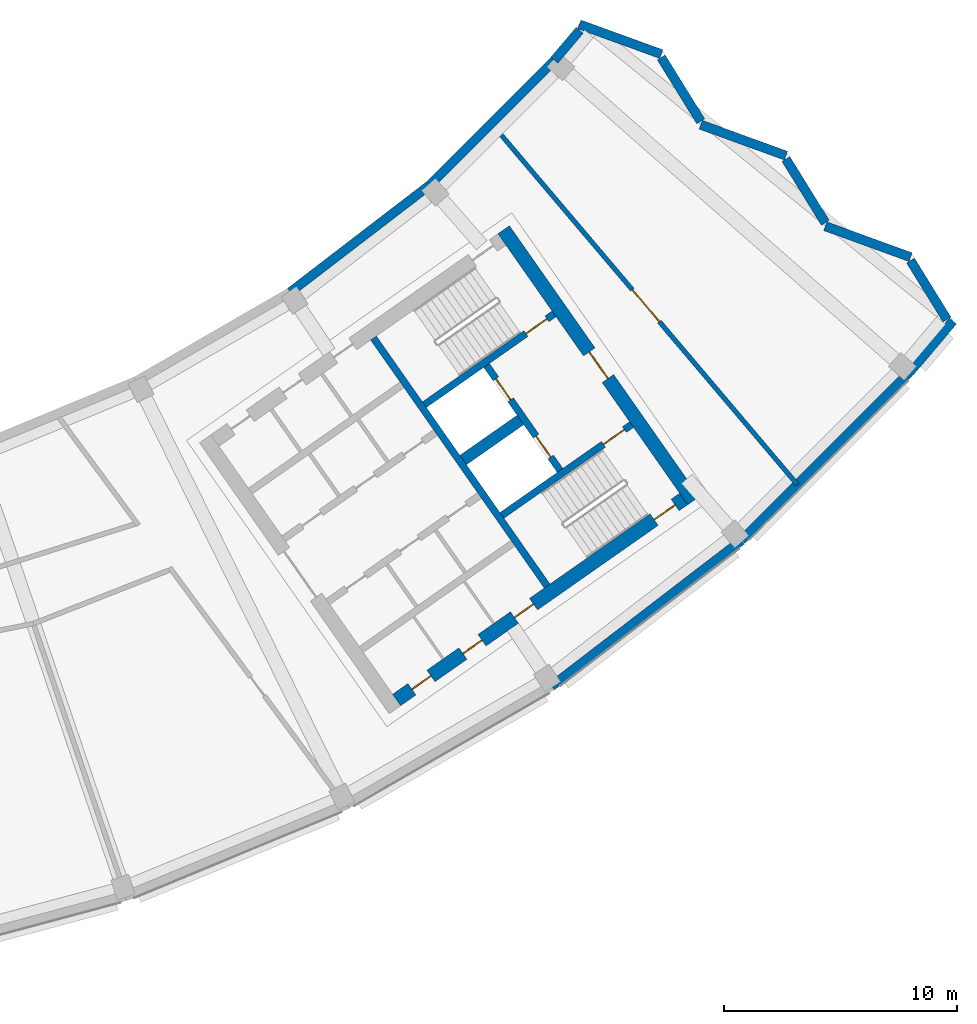
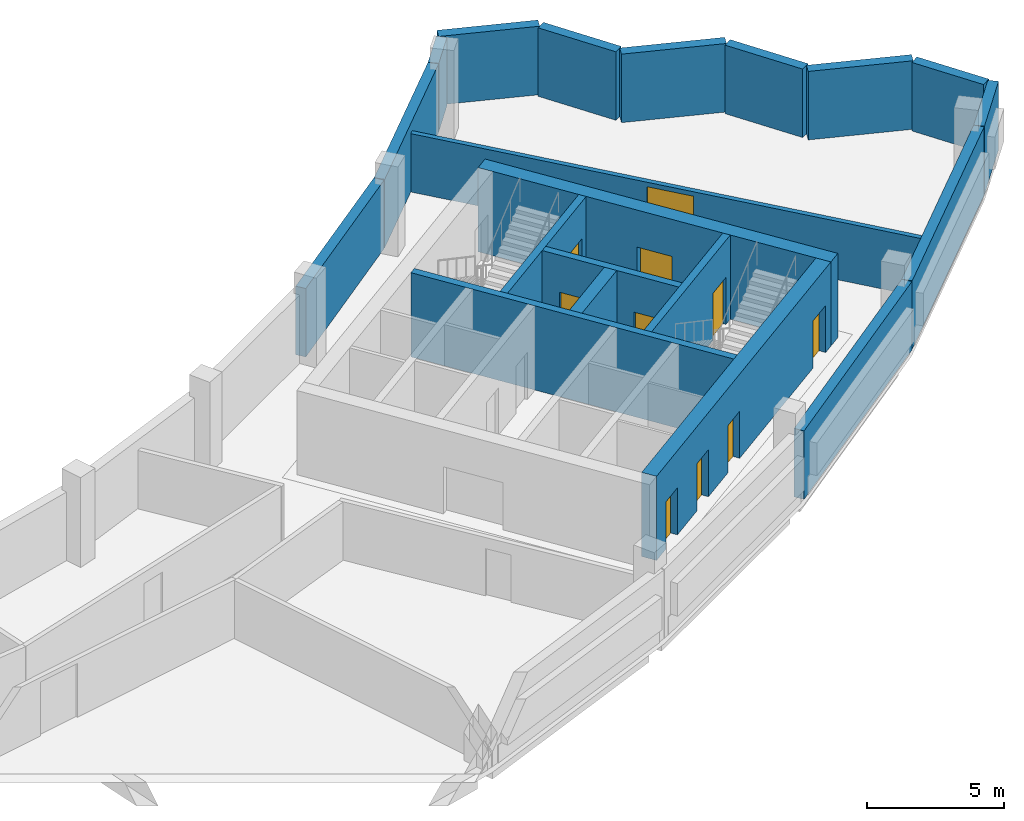
# One storey, part 6 of 11: 20 walls, 10 doors, 10 openings.
"""IFC4 building model written with IfcOpenShell, lengths in metres."""

from ifc_helpers import new_model, si_unit, direction, frame, frame_2d, origin, place, context, subcontext, project, spatial, rectangle, extrude, material, layer, layer_set, type_object, element, fill, save


model = new_model("IFC4")

# Units and contexts
model_context = context("Model", 3, precision=1e-05, world=origin(), true_north=direction((0.0, 1.0)))
body_context = subcontext(model_context, "Body", "Model", "MODEL_VIEW")
ifc_project = project(units=[si_unit("LENGTHUNIT", "METRE"), si_unit("AREAUNIT", "SQUARE_METRE"), si_unit("VOLUMEUNIT", "CUBIC_METRE"), si_unit("PLANEANGLEUNIT", "RADIAN"), si_unit("MASSUNIT", "GRAM", prefix="KILO")], contexts=[model_context])

# Site, building, storey
site_placement = place(None, origin())
site = spatial("IfcSite", under=ifc_project, at=site_placement, CompositionType="ELEMENT")
building_placement = place(site_placement, origin())
building = spatial("IfcBuilding", under=site, at=building_placement, Name="Qamariyya Broadcast Tower", CompositionType="ELEMENT")
storey_placement = place(building_placement, frame((0.0, 0.0, 306.699951171875)))
storey = spatial("IfcBuildingStorey", under=building, at=storey_placement, Name="L74", CompositionType="ELEMENT", Elevation=306.699951171875)

# Wall, opening, door
ifc_material_1 = material(Name="Concrete C60/75", Category="concrete")
ifc_layer_1 = layer(ifc_material_1, 0.60009765625)
ifc_layer_set_1 = layer_set([ifc_layer_1], Name="Core wall 600 mm Concrete C60/75")
wall_type_1 = type_object("IfcWallType", Name="Core wall 600 mm Concrete C60/75", PredefinedType="SHEAR", material=ifc_layer_set_1)
wall_1_placement = place(storey_placement, frame((49.4833984375, -57.031494140625, 0.0), z_axis=(0.0, 0.0, 1.0), x_axis=(-0.573560421458, 0.819163257805, 0.0)))
wall_1 = element("IfcWall", 1, at=wall_1_placement, inside=storey, type_object=wall_type_1, Name="k-E-L74-WH", PredefinedType="SHEAR", context=body_context, shape_type="SweptSolid", body=[
    extrude(rectangle(XDim=14.199951171875, YDim=0.60009765625, at=frame_2d((7.10009765625, 0.0))), origin(), (0.0, 0.0, 1.0), 3.75),
])
opening_1_placement = place(wall_1_placement, frame((6.39990234375, 0.0, 0.0)))
opening_1 = element("IfcOpeningElement", 2, at=opening_1_placement, cuts=wall_1, Name="Opening KD2-E1", PredefinedType="OPENING", context=body_context, shape_type="SweptSolid", body=[
    extrude(rectangle(XDim=1.39990234375, YDim=2.10009765625, at=frame_2d((0.699951171875, 1.050048828125))), frame((0.0, 0.31005859375, 0.0), z_axis=(0.0, -1.0, 0.0), x_axis=(1.0, 0.0, 0.0)), (0.0, 0.0, 1.0), 0.6201171875),
])
ifc_material_2 = material(Name="Steel fire-resisting door leaf", Category="steel")
door_type_1 = type_object("IfcDoorType", Name="Fire-fighting lobby door KD2", OperationType="DOUBLE_DOOR_SINGLE_SWING", PredefinedType="DOOR", material=ifc_material_2)
door_1_placement = place(opening_1_placement, origin())
door_1 = element("IfcDoor", 3, at=door_1_placement, inside=storey, type_object=door_type_1, Name="k-E-L74-WH-D16", OperationType="DOUBLE_DOOR_SINGLE_SWING", OverallHeight=2.10009765625, OverallWidth=1.39990234375, PredefinedType="DOOR", context=body_context, shape_type="SweptSolid", body=[
    extrude(rectangle(XDim=1.39990234375, YDim=2.10009765625, at=frame_2d((0.699951171875, 1.050048828125))), frame((0.0, 0.02490234375, 0.0), z_axis=(0.0, -1.0, 0.0), x_axis=(1.0, 0.0, 0.0)), (0.0, 0.0, 1.0), 0.050048828125),
])
fill(opening_1, door_1)

# Wall, openings, doors
wall_2_placement = place(storey_placement, frame((36.7412109375, -65.58740234375, 0.0), z_axis=(0.0, 0.0, 1.0), x_axis=(0.819153391756, 0.573574511963, 0.0)))
wall_2 = element("IfcWall", 4, at=wall_2_placement, inside=storey, type_object=wall_type_1, Name="k-E-L74-WO", PredefinedType="SHEAR", context=body_context, shape_type="SweptSolid", body=[
    extrude(rectangle(XDim=15.04541015625, YDim=0.60009765625, at=frame_2d((7.522705078125, 0.0))), origin(), (0.0, 0.0, 1.0), 3.75),
])
opening_2_placement = place(wall_2_placement, frame((0.800048828125, 0.0, 0.0)))
opening_2 = element("IfcOpeningElement", 5, at=opening_2_placement, cuts=wall_2, Name="Opening KD4-E10", PredefinedType="OPENING", context=body_context, shape_type="SweptSolid", body=[
    extrude(rectangle(XDim=1.0, YDim=2.10009765625, at=frame_2d((0.5, 1.050048828125))), frame((0.0, 0.31005859375, 0.0), z_axis=(0.0, -1.0, 0.0), x_axis=(1.0, 0.0, 0.0)), (0.0, 0.0, 1.0), 0.6201171875),
])
opening_3_placement = place(wall_2_placement, frame((3.47509765625, 0.0, 0.0)))
opening_3 = element("IfcOpeningElement", 6, at=opening_3_placement, cuts=wall_2, Name="Opening KD4-E11", PredefinedType="OPENING", context=body_context, shape_type="SweptSolid", body=[
    extrude(rectangle(XDim=1.0, YDim=2.10009765625, at=frame_2d((0.5, 1.050048828125))), frame((0.0, 0.31005859375, 0.0), z_axis=(0.0, -1.0, 0.0), x_axis=(1.0, 0.0, 0.0)), (0.0, 0.0, 1.0), 0.6201171875),
])
opening_4_placement = place(wall_2_placement, frame((6.175048828125, 0.0, 0.0)))
opening_4 = element("IfcOpeningElement", 7, at=opening_4_placement, cuts=wall_2, Name="Opening KD4-E12", PredefinedType="OPENING", context=body_context, shape_type="SweptSolid", body=[
    extrude(rectangle(XDim=1.0, YDim=2.10009765625, at=frame_2d((0.5, 1.050048828125))), frame((0.0, 0.31005859375, 0.0), z_axis=(0.0, -1.0, 0.0), x_axis=(1.0, 0.0, 0.0)), (0.0, 0.0, 1.0), 0.6201171875),
])
opening_5_placement = place(wall_2_placement, frame((13.495361328125, 0.0, 0.0)))
opening_5 = element("IfcOpeningElement", 8, at=opening_5_placement, cuts=wall_2, Name="Opening KD1-E3", PredefinedType="OPENING", context=body_context, shape_type="SweptSolid", body=[
    extrude(rectangle(XDim=1.10009765625, YDim=2.10009765625, at=frame_2d((0.550048828125, 1.050048828125))), frame((0.0, 0.31005859375, 0.0), z_axis=(0.0, -1.0, 0.0), x_axis=(1.0, 0.0, 0.0)), (0.0, 0.0, 1.0), 0.6201171875),
])
door_type_2 = type_object("IfcDoorType", Name="Riser and plant door KD4", OperationType="SINGLE_SWING_LEFT", PredefinedType="DOOR", material=ifc_material_2)
door_2_placement = place(opening_2_placement, origin())
door_2 = element("IfcDoor", 9, at=door_2_placement, inside=storey, type_object=door_type_2, Name="k-E-L74-WO-D11", OperationType="SINGLE_SWING_LEFT", OverallHeight=2.10009765625, OverallWidth=1.0, PredefinedType="DOOR", context=body_context, shape_type="SweptSolid", body=[
    extrude(rectangle(XDim=1.0, YDim=2.10009765625, at=frame_2d((0.5, 1.050048828125))), frame((0.0, 0.02490234375, 0.0), z_axis=(0.0, -1.0, 0.0), x_axis=(1.0, 0.0, 0.0)), (0.0, 0.0, 1.0), 0.050048828125),
])
fill(opening_2, door_2)
door_3_placement = place(opening_3_placement, origin())
door_3 = element("IfcDoor", 10, at=door_3_placement, inside=storey, type_object=door_type_2, Name="k-E-L74-WO-D12", OperationType="SINGLE_SWING_RIGHT", OverallHeight=2.10009765625, OverallWidth=1.0, PredefinedType="DOOR", context=body_context, shape_type="SweptSolid", body=[
    extrude(rectangle(XDim=1.0, YDim=2.10009765625, at=frame_2d((0.5, 1.050048828125))), frame((0.0, 0.02490234375, 0.0), z_axis=(0.0, -1.0, 0.0), x_axis=(1.0, 0.0, 0.0)), (0.0, 0.0, 1.0), 0.050048828125),
])
fill(opening_3, door_3)
door_4_placement = place(opening_4_placement, origin())
door_4 = element("IfcDoor", 11, at=door_4_placement, inside=storey, type_object=door_type_2, Name="k-E-L74-WO-D13", OperationType="SINGLE_SWING_LEFT", OverallHeight=2.10009765625, OverallWidth=1.0, PredefinedType="DOOR", context=body_context, shape_type="SweptSolid", body=[
    extrude(rectangle(XDim=1.0, YDim=2.10009765625, at=frame_2d((0.5, 1.050048828125))), frame((0.0, 0.02490234375, 0.0), z_axis=(0.0, -1.0, 0.0), x_axis=(1.0, 0.0, 0.0)), (0.0, 0.0, 1.0), 0.050048828125),
])
fill(opening_4, door_4)
door_type_3 = type_object("IfcDoorType", Name="Stair door KD1", OperationType="SINGLE_SWING_LEFT", PredefinedType="DOOR", material=ifc_material_2)
door_5_placement = place(opening_5_placement, origin())
door_5 = element("IfcDoor", 12, at=door_5_placement, inside=storey, type_object=door_type_3, Name="k-E-L74-WO-D19", OperationType="SINGLE_SWING_LEFT", OverallHeight=2.10009765625, OverallWidth=1.10009765625, PredefinedType="DOOR", context=body_context, shape_type="SweptSolid", body=[
    extrude(rectangle(XDim=1.10009765625, YDim=2.10009765625, at=frame_2d((0.550048828125, 1.050048828125))), frame((0.0, 0.02490234375, 0.0), z_axis=(0.0, -1.0, 0.0), x_axis=(1.0, 0.0, 0.0)), (0.0, 0.0, 1.0), 0.050048828125),
])
fill(opening_5, door_5)

# Walls
ifc_layer_2 = layer(ifc_material_1, 0.5)
ifc_layer_set_2 = layer_set([ifc_layer_2], Name="Fire-fighting lobby divider wall 500 mm Concrete C60/75")
wall_type_2 = type_object("IfcWallType", Name="Fire-fighting lobby divider wall 500 mm Concrete C60/75", PredefinedType="SOLIDWALL", material=ifc_layer_set_2)
wall_3_placement = place(storey_placement, frame((39.59912109375, -55.28515625, 0.0), z_axis=(0.0, 0.0, 1.0), x_axis=(0.819136323161, 0.573598887793, 0.0)))
element("IfcWall", 13, at=wall_3_placement, inside=storey, type_object=wall_type_2, Name="k-E-L74-FD", PredefinedType="SOLIDWALL", context=body_context, shape_type="SweptSolid", body=[
    extrude(rectangle(XDim=2.999755859375, YDim=0.5, at=frame_2d((1.5, 0.0))), origin(), (0.0, 0.0, 1.0), 3.75),
])
ifc_layer_3 = layer(ifc_material_1, 0.300048828125)
ifc_layer_set_3 = layer_set([ifc_layer_3], Name="Lift shaft wall 300 mm Concrete C60/75")
wall_type_3 = type_object("IfcWallType", Name="Lift shaft wall 300 mm Concrete C60/75", PredefinedType="SOLIDWALL", material=ifc_layer_set_3)
wall_4_placement = place(storey_placement, frame((43.204345703125, -60.69580078125, 0.0), z_axis=(0.0, 0.0, 1.0), x_axis=(-0.573571992966, 0.819155155563, 0.0)))
element("IfcWall", 14, at=wall_4_placement, inside=storey, type_object=wall_type_3, Name="k-E-L74-WL", PredefinedType="SOLIDWALL", context=body_context, shape_type="SweptSolid", body=[
    extrude(rectangle(XDim=13.000244140625, YDim=0.300048828125, at=frame_2d((6.5, 0.0))), origin(), (0.0, 0.0, 1.0), 3.75),
])

# Wall, opening, door
wall_5_placement = place(storey_placement, frame((37.935546875, -52.90966796875, 0.0), z_axis=(0.0, 0.0, 1.0), x_axis=(0.819147518138, 0.57358290031, 0.0)))
wall_5 = element("IfcWall", 15, at=wall_5_placement, inside=storey, type_object=wall_type_3, Name="k-E-L74-NW", PredefinedType="SOLIDWALL", context=body_context, shape_type="SweptSolid", body=[
    extrude(rectangle(XDim=6.79541015625, YDim=0.300048828125, at=frame_2d((3.397705078125, 0.0))), origin(), (0.0, 0.0, 1.0), 3.75),
])
opening_6_placement = place(wall_5_placement, frame((5.3203125, 0.0, 0.0)))
opening_6 = element("IfcOpeningElement", 16, at=opening_6_placement, cuts=wall_5, Name="Opening KD1-E2", PredefinedType="OPENING", context=body_context, shape_type="SweptSolid", body=[
    extrude(rectangle(XDim=1.10009765625, YDim=2.10009765625, at=frame_2d((0.550048828125, 1.050048828125))), frame((0.0, 0.159912109375, 0.0), z_axis=(0.0, -1.0, 0.0), x_axis=(1.0, 0.0, 0.0)), (0.0, 0.0, 1.0), 0.320068359375),
])
door_6_placement = place(opening_6_placement, origin())
door_6 = element("IfcDoor", 17, at=door_6_placement, inside=storey, type_object=door_type_3, Name="k-E-L74-NW-D18", OperationType="SINGLE_SWING_RIGHT", OverallHeight=2.10009765625, OverallWidth=1.10009765625, PredefinedType="DOOR", context=body_context, shape_type="SweptSolid", body=[
    extrude(rectangle(XDim=1.10009765625, YDim=2.10009765625, at=frame_2d((0.550048828125, 1.050048828125))), frame((0.0, 0.02490234375, 0.0), z_axis=(0.0, -1.0, 0.0), x_axis=(1.0, 0.0, 0.0)), (0.0, 0.0, 1.0), 0.050048828125),
])
fill(opening_6, door_6)

wall_6_placement = place(storey_placement, frame((41.262451171875, -57.66064453125, 0.0), z_axis=(0.0, 0.0, 1.0), x_axis=(0.819164398642, 0.573558792102, 0.0)))
wall_6 = element("IfcWall", 18, at=wall_6_placement, inside=storey, type_object=wall_type_3, Name="k-E-L74-SW", PredefinedType="SOLIDWALL", context=body_context, shape_type="SweptSolid", body=[
    extrude(rectangle(XDim=6.795166015625, YDim=0.300048828125, at=frame_2d((3.3974609375, 0.0))), origin(), (0.0, 0.0, 1.0), 3.75),
])
opening_7_placement = place(wall_6_placement, frame((5.3203125, 0.0, 0.0)))
opening_7 = element("IfcOpeningElement", 19, at=opening_7_placement, cuts=wall_6, Name="Opening KD1-E4", PredefinedType="OPENING", context=body_context, shape_type="SweptSolid", body=[
    extrude(rectangle(XDim=1.10009765625, YDim=2.10009765625, at=frame_2d((0.550048828125, 1.050048828125))), frame((0.0, 0.159912109375, 0.0), z_axis=(0.0, -1.0, 0.0), x_axis=(1.0, 0.0, 0.0)), (0.0, 0.0, 1.0), 0.320068359375),
])
door_7_placement = place(opening_7_placement, origin())
door_7 = element("IfcDoor", 20, at=door_7_placement, inside=storey, type_object=door_type_3, Name="k-E-L74-SW-D20", OperationType="SINGLE_SWING_RIGHT", OverallHeight=2.10009765625, OverallWidth=1.10009765625, PredefinedType="DOOR", context=body_context, shape_type="SweptSolid", body=[
    extrude(rectangle(XDim=1.10009765625, YDim=2.10009765625, at=frame_2d((0.550048828125, 1.050048828125))), frame((0.0, 0.02490234375, 0.0), z_axis=(0.0, -1.0, 0.0), x_axis=(1.0, 0.0, 0.0)), (0.0, 0.0, 1.0), 0.050048828125),
])
fill(opening_7, door_7)

# Wall, openings, doors
wall_7_placement = place(storey_placement, frame((43.756591796875, -55.731201171875, 0.0), z_axis=(0.0, 0.0, 1.0), x_axis=(-0.573536818435, 0.819179783625, 0.0)))
wall_7 = element("IfcWall", 21, at=wall_7_placement, inside=storey, type_object=wall_type_3, Name="k-E-L74-FF", PredefinedType="SOLIDWALL", context=body_context, shape_type="SweptSolid", body=[
    extrude(rectangle(XDim=5.500244140625, YDim=0.300048828125, at=frame_2d((2.75, 0.0))), origin(), (0.0, 0.0, 1.0), 3.75),
])
opening_8_placement = place(wall_7_placement, frame((0.699951171875, 0.0, 0.0)))
opening_8 = element("IfcOpeningElement", 22, at=opening_8_placement, cuts=wall_7, Name="Opening LD", PredefinedType="OPENING", context=body_context, shape_type="SweptSolid", body=[
    extrude(rectangle(XDim=1.10009765625, YDim=2.10009765625, at=frame_2d((0.550048828125, 1.050048828125))), frame((0.0, 0.159912109375, 0.0), z_axis=(0.0, -1.0, 0.0), x_axis=(1.0, 0.0, 0.0)), (0.0, 0.0, 1.0), 0.320068359375),
])
opening_9_placement = place(wall_7_placement, frame((3.699951171875, 0.0, 0.0)))
opening_9 = element("IfcOpeningElement", 23, at=opening_9_placement, cuts=wall_7, Name="Opening LD", PredefinedType="OPENING", context=body_context, shape_type="SweptSolid", body=[
    extrude(rectangle(XDim=1.10009765625, YDim=2.10009765625, at=frame_2d((0.550048828125, 1.050048828125))), frame((0.0, 0.159912109375, 0.0), z_axis=(0.0, -1.0, 0.0), x_axis=(1.0, 0.0, 0.0)), (0.0, 0.0, 1.0), 0.320068359375),
])
door_type_4 = type_object("IfcDoorType", Name="Lift landing door LD", OperationType="DOUBLE_DOOR_SLIDING", PredefinedType="DOOR", material=ifc_material_2)
door_8_placement = place(opening_8_placement, origin())
door_8 = element("IfcDoor", 24, at=door_8_placement, inside=storey, type_object=door_type_4, Name="k-E-L74-FF-D14", OperationType="DOUBLE_DOOR_SLIDING", OverallHeight=2.10009765625, OverallWidth=1.10009765625, PredefinedType="DOOR", context=body_context, shape_type="SweptSolid", body=[
    extrude(rectangle(XDim=1.10009765625, YDim=2.10009765625, at=frame_2d((0.550048828125, 1.050048828125))), frame((0.0, 0.02490234375, 0.0), z_axis=(0.0, -1.0, 0.0), x_axis=(1.0, 0.0, 0.0)), (0.0, 0.0, 1.0), 0.050048828125),
])
fill(opening_8, door_8)
door_9_placement = place(opening_9_placement, origin())
door_9 = element("IfcDoor", 25, at=door_9_placement, inside=storey, type_object=door_type_4, Name="k-E-L74-FF-D15", OperationType="DOUBLE_DOOR_SLIDING", OverallHeight=2.10009765625, OverallWidth=1.10009765625, PredefinedType="DOOR", context=body_context, shape_type="SweptSolid", body=[
    extrude(rectangle(XDim=1.10009765625, YDim=2.10009765625, at=frame_2d((0.550048828125, 1.050048828125))), frame((0.0, 0.02490234375, 0.0), z_axis=(0.0, -1.0, 0.0), x_axis=(1.0, 0.0, 0.0)), (0.0, 0.0, 1.0), 0.050048828125),
])
fill(opening_9, door_9)

# Wall, opening, door
ifc_material_3 = material(Name="Masonry block wall", Category="masonry")
ifc_layer_4 = layer(ifc_material_3, 0.199951171875)
ifc_layer_set_4 = layer_set([ifc_layer_4], Name="Plant room wall 200 EI 120")
wall_type_4 = type_object("IfcWallType", Name="Plant room wall 200 EI 120", PredefinedType="PARTITIONING", material=ifc_layer_set_4)
wall_8_placement = place(storey_placement, frame((40.93603515625, -40.982666015625, 0.0), z_axis=(0.0, 0.0, 1.0), x_axis=(0.646426079671, -0.76297662056, 0.0)))
wall_8 = element("IfcWall", 26, at=wall_8_placement, inside=storey, type_object=wall_type_4, Name="Partition L74-024", PredefinedType="PARTITIONING", context=body_context, shape_type="SweptSolid", body=[
    extrude(rectangle(XDim=20.1259765625, YDim=0.199951171875, at=frame_2d((10.06298828125, 0.0))), origin(), (0.0, 0.0, 1.0), 2.60009765625),
])
opening_10_placement = place(wall_8_placement, frame((9.1630859375, 0.0, 0.0)))
opening_10 = element("IfcOpeningElement", 27, at=opening_10_placement, cuts=wall_8, Name="Opening L74-D12", PredefinedType="OPENING", context=body_context, shape_type="SweptSolid", body=[
    extrude(rectangle(XDim=1.800048828125, YDim=2.39990234375, at=frame_2d((0.89990234375, 1.199951171875))), frame((0.0, 0.10986328125, 0.0), z_axis=(0.0, -1.0, 0.0), x_axis=(1.0, 0.0, 0.0)), (0.0, 0.0, 1.0), 0.219970703125),
])
ifc_material_4 = material(Name="Insulated metal door leaf")
door_type_5 = type_object("IfcDoorType", Name="Plant double door 1800 x 2400 FD120", OperationType="NOTDEFINED", PredefinedType="DOOR", material=ifc_material_4)
door_10_placement = place(opening_10_placement, origin())
door_10 = element("IfcDoor", 28, at=door_10_placement, inside=storey, type_object=door_type_5, Name="Door L74-D12", OperationType="DOUBLE_DOOR_SINGLE_SWING", OverallHeight=2.39990234375, OverallWidth=1.800048828125, PredefinedType="DOOR", context=body_context, shape_type="SweptSolid", body=[
    extrude(rectangle(XDim=1.800048828125, YDim=2.39990234375, at=frame_2d((0.89990234375, 1.199951171875))), frame((0.0, 0.02490234375, 0.0), z_axis=(0.0, -1.0, 0.0), x_axis=(1.0, 0.0, 0.0)), (0.0, 0.0, 1.0), 0.050048828125),
])
fill(opening_10, door_10)

# Walls
ifc_material_5 = material(Name="Terracotta", Category="masonry")
ifc_layer_5 = layer(ifc_material_5, 0.39990234375)
ifc_layer_set_5 = layer_set([ifc_layer_5], Name="Solid terracotta louvred band wall 400")
wall_type_5 = type_object("IfcWallType", Name="Solid terracotta louvred band wall 400", PredefinedType="SOLIDWALL", material=ifc_layer_set_5)
wall_9_placement = place(storey_placement, frame((60.36962890625, -49.252685546875, 0.0), z_axis=(0.0, 0.0, 1.0), x_axis=(-0.525538284274, 0.850769952315, 0.0)))
element("IfcWall", 29, at=wall_9_placement, inside=storey, type_object=wall_type_5, Name="e-wl-L74-capE0", PredefinedType="SOLIDWALL", context=body_context, shape_type="SweptSolid", body=[
    extrude(rectangle(XDim=2.976318359375, YDim=0.39990234375, at=frame_2d((1.48828125, 0.0))), origin(), (0.0, 0.0, 1.0), 3.050048828125),
])
wall_10_placement = place(storey_placement, frame((58.806396484375, -46.57421875, 0.0), z_axis=(0.0, 0.0, 1.0), x_axis=(-0.940075029039, 0.340967652099, 0.0)))
element("IfcWall", 30, at=wall_10_placement, inside=storey, type_object=wall_type_5, Name="e-wl-L74-capE1", PredefinedType="SOLIDWALL", context=body_context, shape_type="SweptSolid", body=[
    extrude(rectangle(XDim=3.893798828125, YDim=0.39990234375, at=frame_2d((1.94677734375, 0.0))), origin(), (0.0, 0.0, 1.0), 3.050048828125),
])
wall_11_placement = place(storey_placement, frame((55.14697265625, -45.1005859375, 0.0), z_axis=(0.0, 0.0, 1.0), x_axis=(-0.525649491409, 0.850701247314, 0.0)))
element("IfcWall", 31, at=wall_11_placement, inside=storey, type_object=wall_type_5, Name="e-wl-L74-capE2", PredefinedType="SOLIDWALL", context=body_context, shape_type="SweptSolid", body=[
    extrude(rectangle(XDim=3.21923828125, YDim=0.39990234375, at=frame_2d((1.609619140625, 0.0))), origin(), (0.0, 0.0, 1.0), 3.050048828125),
])
wall_12_placement = place(storey_placement, frame((53.455810546875, -42.216064453125, 0.0), z_axis=(0.0, 0.0, 1.0), x_axis=(-0.940086069154, 0.340937212083, 0.0)))
element("IfcWall", 32, at=wall_12_placement, inside=storey, type_object=wall_type_5, Name="e-wl-L74-capE3", PredefinedType="SOLIDWALL", context=body_context, shape_type="SweptSolid", body=[
    extrude(rectangle(XDim=3.892578125, YDim=0.39990234375, at=frame_2d((1.9462890625, 0.0))), origin(), (0.0, 0.0, 1.0), 3.050048828125),
])
wall_13_placement = place(storey_placement, frame((49.797119140625, -40.742919921875, 0.0), z_axis=(0.0, 0.0, 1.0), x_axis=(-0.525678481137, 0.850683333838, 0.0)))
element("IfcWall", 33, at=wall_13_placement, inside=storey, type_object=wall_type_5, Name="e-wl-L74-capE4", PredefinedType="SOLIDWALL", context=body_context, shape_type="SweptSolid", body=[
    extrude(rectangle(XDim=3.220458984375, YDim=0.39990234375, at=frame_2d((1.6103515625, 0.0))), origin(), (0.0, 0.0, 1.0), 3.050048828125),
])
wall_14_placement = place(storey_placement, frame((48.105224609375, -37.857421875, 0.0), z_axis=(0.0, 0.0, 1.0), x_axis=(-0.940130056589, 0.340815898541, 0.0)))
element("IfcWall", 34, at=wall_14_placement, inside=storey, type_object=wall_type_5, Name="e-wl-L74-capE5", PredefinedType="SOLIDWALL", context=body_context, shape_type="SweptSolid", body=[
    extrude(rectangle(XDim=3.742919921875, YDim=0.39990234375, at=frame_2d((1.87158203125, 0.0))), origin(), (0.0, 0.0, 1.0), 3.050048828125),
])
wall_15_placement = place(storey_placement, frame((38.103271484375, -43.525146484375, 0.0), z_axis=(0.0, 0.0, 1.0), x_axis=(-0.793355236357, -0.608758957999, 0.0)))
element("IfcWall", 35, at=wall_15_placement, inside=storey, type_object=wall_type_5, Name="e-wl-L74-in120", PredefinedType="SOLIDWALL", context=body_context, shape_type="SweptSolid", body=[
    extrude(rectangle(XDim=7.4658203125, YDim=0.39990234375, at=frame_2d((3.73291015625, 0.0))), origin(), (0.0, 0.0, 1.0), 3.050048828125),
])
wall_16_placement = place(storey_placement, frame((43.50146484375, -38.13623046875, 0.0), z_axis=(0.0, 0.0, 1.0), x_axis=(-0.707106781187, -0.707106781187, 0.0)))
element("IfcWall", 36, at=wall_16_placement, inside=storey, type_object=wall_type_5, Name="e-wl-L74-in130", PredefinedType="SOLIDWALL", context=body_context, shape_type="SweptSolid", body=[
    extrude(rectangle(XDim=7.6025390625, YDim=0.39990234375, at=frame_2d((3.80126953125, 0.0))), origin(), (0.0, 0.0, 1.0), 3.050048828125),
])
wall_17_placement = place(storey_placement, frame((44.59814453125, -36.8369140625, 0.0), z_axis=(0.0, 0.0, 1.0), x_axis=(-0.645545650865, -0.763721685334, 0.0)))
element("IfcWall", 37, at=wall_17_placement, inside=storey, type_object=wall_type_5, Name="e-wl-L74-in140", PredefinedType="SOLIDWALL", context=body_context, shape_type="SweptSolid", body=[
    extrude(rectangle(XDim=1.68359375, YDim=0.39990234375, at=frame_2d((0.841796875, 0.0))), origin(), (0.0, 0.0, 1.0), 3.050048828125),
])
wall_18_placement = place(storey_placement, frame((43.397705078125, -64.994140625, 0.0), z_axis=(0.0, 0.0, 1.0), x_axis=(0.793354972355, 0.608759302055, 0.0)))
element("IfcWall", 38, at=wall_18_placement, inside=storey, type_object=wall_type_5, Name="e-wl-L74-out120", PredefinedType="SOLIDWALL", context=body_context, shape_type="SweptSolid", body=[
    extrude(rectangle(XDim=10.2724609375, YDim=0.39990234375, at=frame_2d((5.13623046875, 0.0))), origin(), (0.0, 0.0, 1.0), 3.050048828125),
])
wall_19_placement = place(storey_placement, frame((51.5634765625, -58.719970703125, 0.0), z_axis=(0.0, 0.0, 1.0), x_axis=(0.707118813872, 0.707094748296, 0.0)))
element("IfcWall", 39, at=wall_19_placement, inside=storey, type_object=wall_type_5, Name="e-wl-L74-out130", PredefinedType="SOLIDWALL", context=body_context, shape_type="SweptSolid", body=[
    extrude(rectangle(XDim=10.144775390625, YDim=0.39990234375, at=frame_2d((5.072265625, 0.0))), origin(), (0.0, 0.0, 1.0), 3.050048828125),
])
wall_20_placement = place(storey_placement, frame((58.74951171875, -51.53564453125, 0.0), z_axis=(0.0, 0.0, 1.0), x_axis=(0.6455801385, 0.763692532878, 0.0)))
element("IfcWall", 40, at=wall_20_placement, inside=storey, type_object=wall_type_5, Name="e-wl-L74-out140", PredefinedType="SOLIDWALL", context=body_context, shape_type="SweptSolid", body=[
    extrude(rectangle(XDim=2.902099609375, YDim=0.39990234375, at=frame_2d((1.451171875, 0.0))), origin(), (0.0, 0.0, 1.0), 3.050048828125),
])

save(model, "model.ifc")
